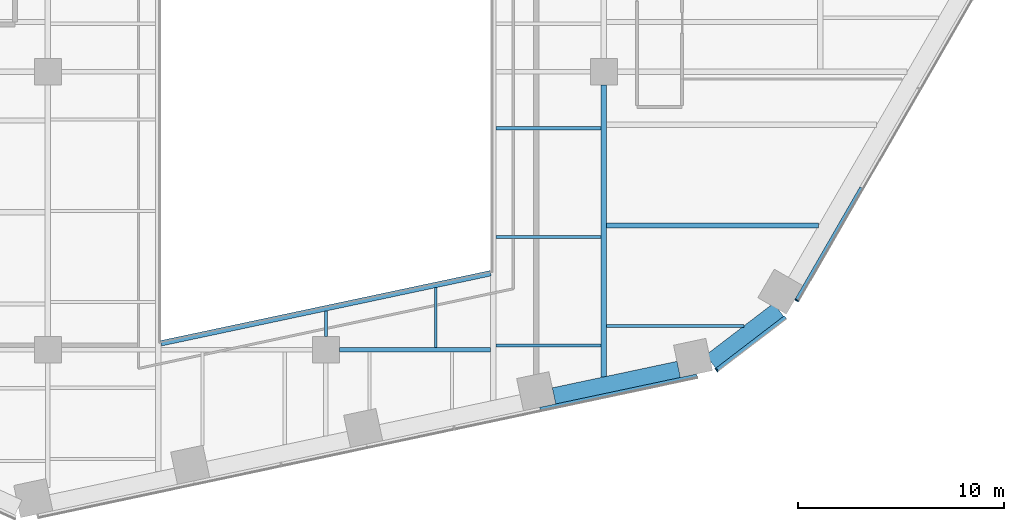
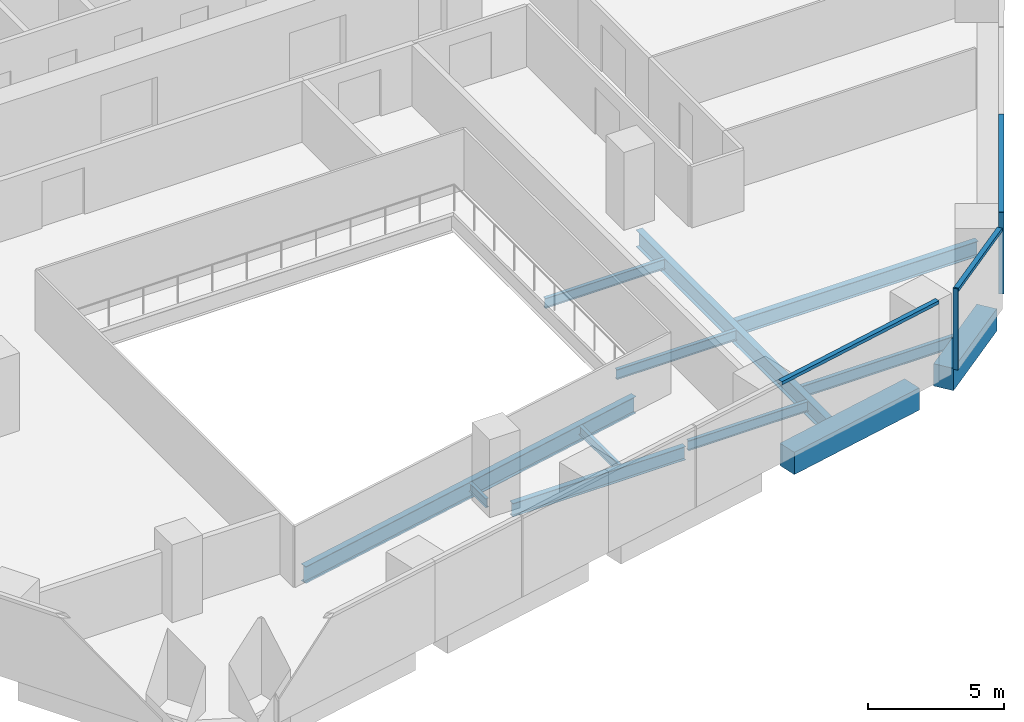
# One storey, part 5 of 21: 12 beams, 5 members, 3 elements without a shape of their own.
"""IFC4 building model written with IfcOpenShell, lengths in metres."""

from ifc_helpers import new_model, si_unit, direction, frame, origin, origin_2d, place, context, subcontext, project, spatial, rectangle, i_section, extrude, material, layer, layer_set, material_profile, profile_set, type_object, element, aggregate, save


model = new_model("IFC4")

# Units and contexts
model_context = context("Model", 3, precision=1e-05, world=origin(), true_north=direction((0.0, 1.0)))
body_context = subcontext(model_context, "Body", "Model", "MODEL_VIEW")
ifc_project = project(units=[si_unit("LENGTHUNIT", "METRE"), si_unit("AREAUNIT", "SQUARE_METRE"), si_unit("VOLUMEUNIT", "CUBIC_METRE"), si_unit("PLANEANGLEUNIT", "RADIAN"), si_unit("MASSUNIT", "GRAM", prefix="KILO")], contexts=[model_context])

# Site, building, storey
site_placement = place(None, origin())
site = spatial("IfcSite", under=ifc_project, at=site_placement, CompositionType="ELEMENT")
building_placement = place(site_placement, origin())
building = spatial("IfcBuilding", under=site, at=building_placement, Name="Isthmus Gate Tower", CompositionType="ELEMENT")
storey_placement = place(building_placement, frame((0.0, 0.0, 102.550048828125)))
storey = spatial("IfcBuildingStorey", under=building, at=storey_placement, Name="L24", CompositionType="ELEMENT", Elevation=102.550048828125)

# Curtain wall, member
ifc_material_1 = material(Name="Aluminium, pale champagne anodised", Category="aluminium")
ifc_layer = layer(ifc_material_1, 0.199951171875)
ifc_layer_set = layer_set([ifc_layer], Name="CW-1 UNITISED CURTAIN WALL 200 DEEP")
curtain_wall_type = type_object("IfcCurtainWallType", Name="CW-1 UNITISED CURTAIN WALL 200 DEEP", PredefinedType="NOTDEFINED", material=ifc_layer_set)
curtain_wall_1_placement = place(storey_placement, origin())
curtain_wall_1 = element("IfcCurtainWall", 1, at=curtain_wall_1_placement, inside=storey, type_object=curtain_wall_type, Name="CW-1 S-SE L24", PredefinedType="NOTDEFINED")
ifc_material_2 = material(Name="Aluminium, pale champagne anodised", Category="aluminium")
ifc_material_profile_1 = material_profile(ifc_material_2, rectangle(XDim=0.06005859375, YDim=0.199951171875, at=origin_2d()), Name="60x200")
ifc_profile_set_1 = profile_set([ifc_material_profile_1], Name="Aluminium, pale champagne anodised")
member_type_1 = type_object("IfcMemberType", Name="CW-1 MULLION 60 X 200", PredefinedType="MULLION", material=ifc_profile_set_1)
member_1_placement = place(storey_placement, frame((18.978759765625, -27.982421875, 0.0), z_axis=(0.0, 0.0, 1.0), x_axis=(0.794188594387, 0.607671355706, 0.0)))
member_1 = element("IfcMember", 2, at=member_1_placement, type_object=member_type_1, Name="CW-1 mullion", PredefinedType="MULLION", context=body_context, shape_type="SweptSolid", body=[
    extrude(rectangle(XDim=0.06005859375, YDim=0.199951171875, at=origin_2d()), origin(), (0.0, 0.0, 1.0), 3.64990234375),
])

curtain_wall_2_placement = place(storey_placement, origin())
curtain_wall_2 = element("IfcCurtainWall", 3, at=curtain_wall_2_placement, inside=storey, type_object=curtain_wall_type, Name="CW-1 SE L24", PredefinedType="NOTDEFINED")
member_2_placement = place(storey_placement, frame((22.863525390625, -24.599365234375, 0.0), z_axis=(0.0, 0.0, 1.0), x_axis=(0.5, 0.866025403784, 0.0)))
member_2 = element("IfcMember", 4, at=member_2_placement, type_object=member_type_1, Name="CW-1 mullion", PredefinedType="MULLION", context=body_context, shape_type="SweptSolid", body=[
    extrude(rectangle(XDim=0.06005859375, YDim=0.199951171875, at=origin_2d()), origin(), (0.0, 0.0, 1.0), 3.64990234375),
])

curtain_wall_3_placement = place(storey_placement, origin())
curtain_wall_3 = element("IfcCurtainWall", 5, at=curtain_wall_3_placement, inside=storey, type_object=curtain_wall_type, Name="CW-1 S L24", PredefinedType="NOTDEFINED")
ifc_material_3 = material(Name="Aluminium, pale champagne anodised", Category="aluminium")
ifc_material_profile_2 = material_profile(ifc_material_3, rectangle(XDim=0.199951171875, YDim=0.14990234375, at=origin_2d()), Name="200x150")
ifc_profile_set_2 = profile_set([ifc_material_profile_2], Name="Aluminium, pale champagne anodised")
member_type_2 = type_object("IfcMemberType", Name="CW-1 TRANSOM 200 X 150", PredefinedType="USERDEFINED", material=ifc_profile_set_2)
member_3_placement = place(storey_placement, frame((10.400146484375, -29.8916015625, 3.574951171875), z_axis=(0.978150565745, 0.207897741047, 0.0), x_axis=(-0.207897741047, 0.978150565745, 0.0)))
member_3 = element("IfcMember", 6, at=member_3_placement, type_object=member_type_2, Name="CW-1 transom", ObjectType="TRANSOM", PredefinedType="USERDEFINED", context=body_context, shape_type="SweptSolid", body=[
    extrude(rectangle(XDim=0.199951171875, YDim=0.14990234375, at=origin_2d()), origin(), (0.0, 0.0, 1.0), 7.789306640625),
])
aggregate(curtain_wall_3, [member_3])

# Member
member_4_placement = place(storey_placement, frame((19.002685546875, -27.96435546875, 3.574951171875), z_axis=(0.794175498212, 0.607688471209, 0.0), x_axis=(-0.607688471209, 0.794175498212, 0.0)))
member_4 = element("IfcMember", 7, at=member_4_placement, type_object=member_type_2, Name="CW-1 transom", ObjectType="TRANSOM", PredefinedType="USERDEFINED", context=body_context, shape_type="SweptSolid", body=[
    extrude(rectangle(XDim=0.199951171875, YDim=0.14990234375, at=origin_2d()), origin(), (0.0, 0.0, 1.0), 4.181396484375),
])

aggregate(curtain_wall_1, [member_1, member_4])

member_5_placement = place(storey_placement, frame((22.87841796875, -24.5732421875, 3.574951171875), z_axis=(0.50002426866, 0.866011391814, 0.0), x_axis=(-0.866011391814, 0.50002426866, 0.0)))
member_5 = element("IfcMember", 8, at=member_5_placement, type_object=member_type_2, Name="CW-1 transom", ObjectType="TRANSOM", PredefinedType="USERDEFINED", context=body_context, shape_type="SweptSolid", body=[
    extrude(rectangle(XDim=0.199951171875, YDim=0.14990234375, at=origin_2d()), origin(), (0.0, 0.0, 1.0), 6.278564453125),
])

aggregate(curtain_wall_2, [member_2, member_5])

# Beams
ifc_material_4 = material(Name="Concrete f'c 70 MPa", Category="concrete")
ifc_material_profile_3 = material_profile(ifc_material_4, rectangle(XDim=0.800048828125, YDim=1.0, at=origin_2d()), Name="RC 800X1000")
ifc_profile_set_3 = profile_set([ifc_material_profile_3], Name="Concrete f'c 70 MPa")
beam_type_1 = type_object("IfcBeamType", Name="RC SPANDREL 800 X 1000", PredefinedType="SPANDREL", material=ifc_profile_set_3)
beam_1_placement = place(storey_placement, frame((21.98681640625, -25.051513671875, -0.5), z_axis=(-0.794205941875, -0.607648682949, 0.0), x_axis=(0.607648682949, -0.794205941875, 0.0)))
element("IfcBeam", 9, at=beam_1_placement, inside=storey, type_object=beam_type_1, Name="str-spandrel-L24-09", PredefinedType="SPANDREL", context=body_context, shape_type="SweptSolid", body=[
    extrude(rectangle(XDim=0.800048828125, YDim=1.0, at=origin_2d()), origin(), (0.0, 0.0, 1.0), 4.15234375),
])
beam_2_placement = place(storey_placement, frame((17.1328125, -27.949462890625, -0.5), z_axis=(-0.978147421176, -0.207912535568, 0.0), x_axis=(0.207912535568, -0.978147421176, 0.0)))
element("IfcBeam", 10, at=beam_2_placement, inside=storey, type_object=beam_type_1, Name="str-spandrel-L24-10", PredefinedType="SPANDREL", context=body_context, shape_type="SweptSolid", body=[
    extrude(rectangle(XDim=0.800048828125, YDim=1.0, at=origin_2d()), origin(), (0.0, 0.0, 1.0), 6.189453125),
])
ifc_material_5 = material(Name="Structural steel ASTM A992 Gr 50", Category="steel")
ifc_material_profile_4 = material_profile(ifc_material_5, i_section(OverallWidth=0.1396484375, OverallDepth=0.4033203125, WebThickness=0.00634765625, FlangeThickness=0.010986328125, at=origin_2d()), Name="W16X31")
ifc_profile_set_4 = profile_set([ifc_material_profile_4], Name="Structural steel ASTM A992 Gr 50")
beam_type_2 = type_object("IfcBeamType", Name="STEEL FLOOR BEAM W16X31", PredefinedType="JOIST", material=ifc_profile_set_4)
beam_3_placement = place(storey_placement, frame((0.0, -26.35009765625, -0.3515625), z_axis=(0.0, 1.0, 0.0), x_axis=(-1.0, 0.0, 0.0)))
element("IfcBeam", 11, at=beam_3_placement, inside=storey, type_object=beam_type_2, Name="str-beam-L24-18-00", PredefinedType="JOIST", context=body_context, shape_type="SweptSolid", body=[
    extrude(i_section(OverallWidth=0.1396484375, OverallDepth=0.4033203125, WebThickness=0.00634765625, FlangeThickness=0.010986328125, at=origin_2d()), origin(), (0.0, 0.0, 1.0), 1.23388671875),
])
beam_4_placement = place(storey_placement, frame((5.333251953125, -26.8857421875, -0.3515625), z_axis=(0.0, 1.0, 0.0), x_axis=(-1.0, 0.0, 0.0)))
element("IfcBeam", 12, at=beam_4_placement, inside=storey, type_object=beam_type_2, Name="str-beam-L24-18-01", PredefinedType="JOIST", context=body_context, shape_type="SweptSolid", body=[
    extrude(i_section(OverallWidth=0.1396484375, OverallDepth=0.4033203125, WebThickness=0.00634765625, FlangeThickness=0.010986328125, at=origin_2d()), origin(), (0.0, 0.0, 1.0), 2.903076171875),
])
ifc_material_6 = material(Name="Structural steel ASTM A992 Gr 50", Category="steel")
ifc_material_profile_5 = material_profile(ifc_material_6, i_section(OverallWidth=0.15234375, OverallDepth=0.45068359375, WebThickness=0.0078125, FlangeThickness=0.010986328125, at=origin_2d()), Name="W18X35")
ifc_profile_set_5 = profile_set([ifc_material_profile_5], Name="Structural steel ASTM A992 Gr 50")
beam_type_3 = type_object("IfcBeamType", Name="STEEL FLOOR BEAM W18X35", PredefinedType="JOIST", material=ifc_profile_set_5)
for number, where, z_axis, x_axis, name in (
    (13, (8.263427734375, -26.788818359375, -0.37548828125), (1.0, 0.0, 0.0), (0.0, 1.0, 0.0), "str-beam-L24-23-00"),
    (14, (8.263427734375, -21.51513671875, -0.37548828125), (1.0, 0.0, 0.0), (0.0, 1.0, 0.0), "str-beam-L24-23-01"),
    (15, (8.263427734375, -16.241455078125, -0.37548828125), (1.0, 0.0, 0.0), (0.0, 1.0, 0.0), "str-beam-L24-23-02"),
):
    element("IfcBeam", number, at=place(storey_placement, frame(where, z_axis=z_axis, x_axis=x_axis)), inside=storey, type_object=beam_type_3, Name=name, PredefinedType="JOIST", context=body_context, shape_type="SweptSolid", body=[
        extrude(i_section(OverallWidth=0.15234375, OverallDepth=0.45068359375, WebThickness=0.0078125, FlangeThickness=0.010986328125, at=origin_2d()), origin(), (0.0, 0.0, 1.0), 5.103271484375),
    ])
ifc_material_7 = material(Name="Structural steel ASTM A992 Gr 50", Category="steel")
ifc_material_profile_6 = material_profile(ifc_material_7, i_section(OverallWidth=0.1650390625, OverallDepth=0.52392578125, WebThickness=0.009521484375, FlangeThickness=0.010986328125, at=origin_2d()), Name="W21X44")
ifc_profile_set_6 = profile_set([ifc_material_profile_6], Name="Structural steel ASTM A992 Gr 50")
beam_type_4 = type_object("IfcBeamType", Name="STEEL FLOOR BEAM W21X44", PredefinedType="JOIST", material=ifc_profile_set_6)
beam_5_placement = place(storey_placement, frame((13.63330078125, -25.842529296875, -0.412109375), z_axis=(1.0, 0.0, 0.0), x_axis=(0.0, 1.0, 0.0)))
element("IfcBeam", 16, at=beam_5_placement, inside=storey, type_object=beam_type_4, Name="str-beam-L24-28-00", PredefinedType="JOIST", context=body_context, shape_type="SweptSolid", body=[
    extrude(i_section(OverallWidth=0.1650390625, OverallDepth=0.52392578125, WebThickness=0.009521484375, FlangeThickness=0.010986328125, at=origin_2d()), origin(), (0.0, 0.0, 1.0), 6.661376953125),
])
ifc_material_8 = material(Name="Structural steel ASTM A992 Gr 50", Category="steel")
ifc_material_profile_7 = material_profile(ifc_material_8, i_section(OverallWidth=0.25390625, OverallDepth=0.679443359375, WebThickness=0.010986328125, FlangeThickness=0.015869140625, at=origin_2d()), Name="W27X84")
ifc_profile_set_7 = profile_set([ifc_material_profile_7], Name="Structural steel ASTM A992 Gr 50")
beam_type_5 = type_object("IfcBeamType", Name="STEEL FLOOR BEAM W27X84", PredefinedType="JOIST", material=ifc_profile_set_7)
beam_6_placement = place(storey_placement, frame((13.63330078125, -20.958740234375, -0.48974609375), z_axis=(1.0, 0.0, 0.0), x_axis=(0.0, 1.0, 0.0)))
element("IfcBeam", 17, at=beam_6_placement, inside=storey, type_object=beam_type_5, Name="str-beam-L24-28-01", PredefinedType="JOIST", context=body_context, shape_type="SweptSolid", body=[
    extrude(i_section(OverallWidth=0.25390625, OverallDepth=0.679443359375, WebThickness=0.010986328125, FlangeThickness=0.015869140625, at=origin_2d()), origin(), (0.0, 0.0, 1.0), 10.292724609375),
])
ifc_material_9 = material(Name="Structural steel ASTM A992 Gr 50", Category="steel")
ifc_material_profile_8 = material_profile(ifc_material_9, i_section(OverallWidth=0.228515625, OverallDepth=0.603271484375, WebThickness=0.010986328125, FlangeThickness=0.014404296875, at=origin_2d()), Name="W24X68")
ifc_profile_set_8 = profile_set([ifc_material_profile_8], Name="Structural steel ASTM A992 Gr 50")
beam_type_6 = type_object("IfcBeamType", Name="STEEL GIRDER W24X68", PredefinedType="BEAM", material=ifc_profile_set_8)
beam_7_placement = place(storey_placement, frame((0.64990234375, -27.0, -0.45166015625), z_axis=(1.0, 0.0, 0.0), x_axis=(0.0, 1.0, 0.0)))
element("IfcBeam", 18, at=beam_7_placement, inside=storey, type_object=beam_type_6, Name="str-girder-L24-04", PredefinedType="BEAM", context=body_context, shape_type="SweptSolid", body=[
    extrude(i_section(OverallWidth=0.228515625, OverallDepth=0.603271484375, WebThickness=0.010986328125, FlangeThickness=0.014404296875, at=origin_2d()), origin(), (0.0, 0.0, 1.0), 7.35009765625),
])
ifc_material_10 = material(Name="Structural steel ASTM A992 Gr 50", Category="steel")
ifc_material_profile_9 = material_profile(ifc_material_10, i_section(OverallWidth=0.2666015625, OverallDepth=0.7587890625, WebThickness=0.014404296875, FlangeThickness=0.01904296875, at=origin_2d()), Name="W30X108")
ifc_profile_set_9 = profile_set([ifc_material_profile_9], Name="Structural steel ASTM A992 Gr 50")
beam_type_7 = type_object("IfcBeamType", Name="STEEL GIRDER W30X108", PredefinedType="BEAM", material=ifc_profile_set_9)
beam_8_placement = place(storey_placement, frame((13.5, -28.3125, -0.529541015625), z_axis=(0.0, 1.0, 0.0), x_axis=(-1.0, 0.0, 0.0)))
element("IfcBeam", 19, at=beam_8_placement, inside=storey, type_object=beam_type_7, Name="str-girder-L24-32", PredefinedType="BEAM", context=body_context, shape_type="SweptSolid", body=[
    extrude(i_section(OverallWidth=0.2666015625, OverallDepth=0.7587890625, WebThickness=0.014404296875, FlangeThickness=0.01904296875, at=origin_2d()), origin(), (0.0, 0.0, 1.0), 14.16259765625),
])
ifc_material_11 = material(Name="Structural steel ASTM A992 Gr 50", Category="steel")
ifc_material_profile_10 = material_profile(ifc_material_11, i_section(OverallWidth=0.2666015625, OverallDepth=0.7587890625, WebThickness=0.014404296875, FlangeThickness=0.01904296875, at=origin_2d()), Name="W30X108")
ifc_profile_set_10 = profile_set([ifc_material_profile_10], Name="Structural steel ASTM A992 Gr 50")
beam_type_8 = type_object("IfcBeamType", Name="STEEL TRIMMER W30X108", PredefinedType="BEAM", material=ifc_profile_set_10)
beam_9_placement = place(storey_placement, frame((-8.0, -26.680419921875, -0.529541015625), z_axis=(0.978147924985, 0.20791016533, 0.0), x_axis=(-0.20791016533, 0.978147924985, 0.0)))
element("IfcBeam", 20, at=beam_9_placement, inside=storey, type_object=beam_type_8, Name="str-trimmer-L24-03", PredefinedType="BEAM", context=body_context, shape_type="SweptSolid", body=[
    extrude(i_section(OverallWidth=0.2666015625, OverallDepth=0.7587890625, WebThickness=0.014404296875, FlangeThickness=0.01904296875, at=origin_2d()), origin(), (0.0, 0.0, 1.0), 16.357421875),
])

save(model, "model.ifc")
